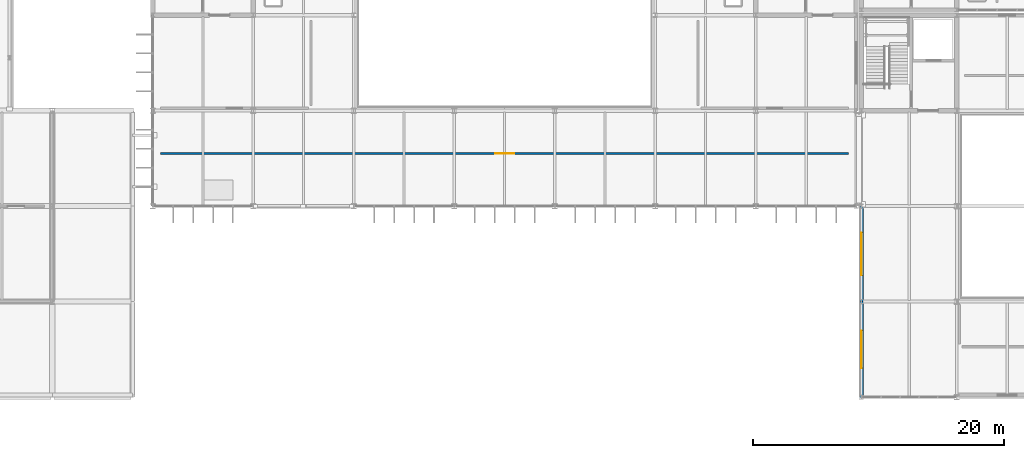
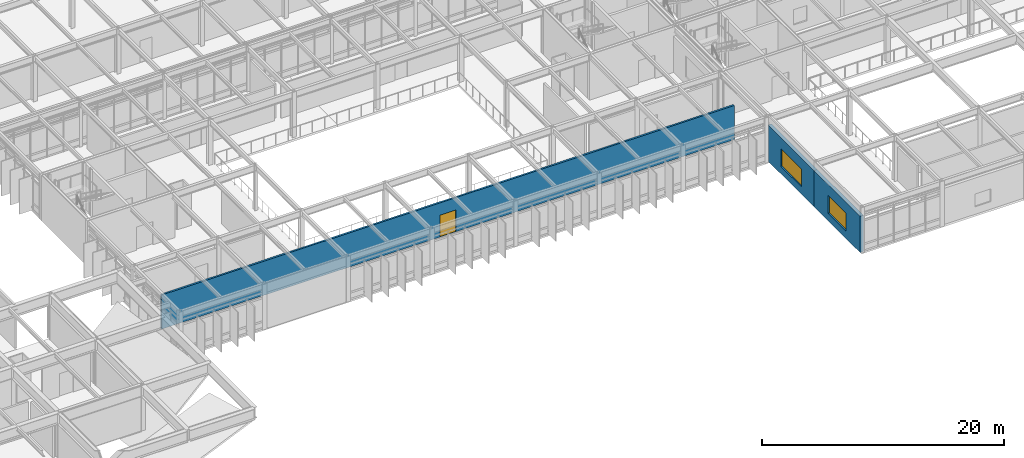
# One storey, part 82 of 104: 3 walls, 2 windows, 1 door, 3 openings.
"""IFC4 building model written with IfcOpenShell, lengths in metres."""

from ifc_helpers import new_model, si_unit, direction, frame, frame_2d, origin, place, context, subcontext, project, spatial, rectangle, extrude, material, layer, layer_set, type_object, element, fill, save


model = new_model("IFC4")

# Units and contexts
model_context = context("Model", 3, precision=1e-05, world=origin(), true_north=direction((0.0, 1.0)))
body_context = subcontext(model_context, "Body", "Model", "MODEL_VIEW")
ifc_project = project(units=[si_unit("LENGTHUNIT", "METRE"), si_unit("AREAUNIT", "SQUARE_METRE"), si_unit("VOLUMEUNIT", "CUBIC_METRE"), si_unit("PLANEANGLEUNIT", "RADIAN"), si_unit("MASSUNIT", "GRAM", prefix="KILO")], contexts=[model_context])

# Site, building, storey
site_placement = place(None, origin())
site = spatial("IfcSite", under=ifc_project, at=site_placement, CompositionType="ELEMENT")
building_placement = place(site_placement, origin())
building = spatial("IfcBuilding", under=site, at=building_placement, Name="Zulena Civic Courthouse", CompositionType="ELEMENT")
storey_placement = place(building_placement, frame((0.0, 0.0, 10.800048828125)))
storey = spatial("IfcBuildingStorey", under=building, at=storey_placement, Name="L02", CompositionType="ELEMENT", Elevation=10.800048828125)

# Wall, opening, window
ifc_material_1 = material(Name="Terracotta-rose architectural precast concrete C40/50", Category="masonry")
ifc_layer_1 = layer(ifc_material_1, 0.320068359375)
ifc_layer_set_1 = layer_set([ifc_layer_1], Name="Terracotta-rose architectural precast concrete C40/50")
wall_type_1 = type_object("IfcWallType", Name="ExtWall_TerraPrecast_320", PredefinedType="STANDARD", material=ifc_layer_set_1)
wall_1_placement = place(storey_placement, frame((124.39990234375, -0.02001953125, 0.0), z_axis=(0.0, 0.0, 1.0), x_axis=(0.0, 1.0, 0.0)))
wall_1 = element("IfcWall", 1, at=wall_1_placement, inside=storey, type_object=wall_type_1, Name="ewall:V1:L02:0:0", PredefinedType="STANDARD", context=body_context, shape_type="SweptSolid", body=[
    extrude(rectangle(XDim=7.64013671875, YDim=0.320068359375, at=frame_2d((3.820068359375, 0.0))), origin(), (0.0, 0.0, 1.0), 3.659912109375),
])
opening_1_placement = place(wall_1_placement, frame((2.320068359375, 0.0, 0.75)))
opening_1 = element("IfcOpeningElement", 2, at=opening_1_placement, cuts=wall_1, Name="Opening WN22", PredefinedType="OPENING", context=body_context, shape_type="SweptSolid", body=[
    extrude(rectangle(XDim=3.0, YDim=1.800048828125, at=frame_2d((1.5, 0.89990234375))), frame((0.0, 0.169921875, 0.0), z_axis=(0.0, -1.0, 0.0), x_axis=(1.0, 0.0, 0.0)), (0.0, 0.0, 1.0), 0.340087890625),
])
ifc_material_2 = material(Name="Double-silver low-E laminated solar-control glass", Category="glass")
window_type_1 = type_object("IfcWindowType", Name="Win_3000x1800", PartitioningType="DOUBLE_PANEL_VERTICAL", PredefinedType="WINDOW", material=ifc_material_2)
window_1_placement = place(opening_1_placement, origin())
window_1 = element("IfcWindow", 3, at=window_1_placement, inside=storey, type_object=window_type_1, Name="win:V1:L02:0:0", OverallHeight=1.800048828125, OverallWidth=3.0, PartitioningType="SINGLE_PANEL", PredefinedType="WINDOW", context=body_context, shape_type="SweptSolid", body=[
    extrude(rectangle(XDim=3.0, YDim=1.800048828125, at=frame_2d((1.5, 0.89990234375))), frame((0.0, 0.030029296875, 0.0), z_axis=(0.0, -1.0, 0.0), x_axis=(1.0, 0.0, 0.0)), (0.0, 0.0, 1.0), 0.06005859375),
])
fill(opening_1, window_1)

wall_2_placement = place(storey_placement, frame((124.39990234375, 7.580078125, 0.0), z_axis=(0.0, 0.0, 1.0), x_axis=(0.0, 1.0, 0.0)))
wall_2 = element("IfcWall", 4, at=wall_2_placement, inside=storey, type_object=wall_type_1, Name="ewall:V1:L02:0:1", PredefinedType="STANDARD", context=body_context, shape_type="SweptSolid", body=[
    extrude(rectangle(XDim=7.639892578125, YDim=0.320068359375, at=frame_2d((3.81982421875, 0.0))), origin(), (0.0, 0.0, 1.0), 3.659912109375),
])
opening_2_placement = place(wall_2_placement, frame((2.1201171875, 0.0, 0.75)))
opening_2 = element("IfcOpeningElement", 5, at=opening_2_placement, cuts=wall_2, Name="Opening WN23", PredefinedType="OPENING", context=body_context, shape_type="SweptSolid", body=[
    extrude(rectangle(XDim=3.39990234375, YDim=1.800048828125, at=frame_2d((1.699951171875, 0.89990234375))), frame((0.0, 0.169921875, 0.0), z_axis=(0.0, -1.0, 0.0), x_axis=(1.0, 0.0, 0.0)), (0.0, 0.0, 1.0), 0.340087890625),
])
window_type_2 = type_object("IfcWindowType", Name="Win_3400x1800", PartitioningType="DOUBLE_PANEL_VERTICAL", PredefinedType="WINDOW", material=ifc_material_2)
window_2_placement = place(opening_2_placement, origin())
window_2 = element("IfcWindow", 6, at=window_2_placement, inside=storey, type_object=window_type_2, Name="win:V1:L02:0:1", OverallHeight=1.800048828125, OverallWidth=3.39990234375, PartitioningType="SINGLE_PANEL", PredefinedType="WINDOW", context=body_context, shape_type="SweptSolid", body=[
    extrude(rectangle(XDim=3.39990234375, YDim=1.800048828125, at=frame_2d((1.699951171875, 0.89990234375))), frame((0.0, 0.030029296875, 0.0), z_axis=(0.0, -1.0, 0.0), x_axis=(1.0, 0.0, 0.0)), (0.0, 0.0, 1.0), 0.06005859375),
])
fill(opening_2, window_2)

# Wall, opening, door
ifc_material_3 = material(Name="Acoustic fire-rated gypsum board assembly", Category="masonry")
ifc_layer_2 = layer(ifc_material_3, 0.177978515625)
ifc_layer_set_2 = layer_set([ifc_layer_2], Name="Acoustic fire-rated gypsum board assembly")
wall_type_2 = type_object("IfcWallType", Name="PartWall_Corridor_178", PredefinedType="PARTITIONING", material=ifc_layer_set_2)
wall_3_placement = place(storey_placement, frame((68.6201171875, 19.39990234375, 0.0), z_axis=(0.0, 0.0, 1.0), x_axis=(1.0, 0.0, 0.0)))
wall_3 = element("IfcWall", 7, at=wall_3_placement, inside=storey, type_object=wall_type_2, Name="pwall:L02:243:0", PredefinedType="PARTITIONING", context=body_context, shape_type="SweptSolid", body=[
    extrude(rectangle(XDim=54.759765625, YDim=0.177978515625, at=frame_2d((27.3798828125, 0.0))), origin(), (0.0, 0.0, 1.0), 3.449951171875),
])
opening_3_placement = place(wall_3_placement, frame((26.6298828125, 0.0, 0.0)))
opening_3 = element("IfcOpeningElement", 8, at=opening_3_placement, cuts=wall_3, Name="Opening ID05", PredefinedType="OPENING", context=body_context, shape_type="SweptSolid", body=[
    extrude(rectangle(XDim=1.5, YDim=2.199951171875, at=frame_2d((0.75, 1.10009765625))), frame((0.0, 0.098876953125, 0.0), z_axis=(0.0, -1.0, 0.0), x_axis=(1.0, 0.0, 0.0)), (0.0, 0.0, 1.0), 0.197998046875),
])
ifc_material_4 = material(Name="Fire-rated galvanised steel ASTM A653 Grade 50", Category="steel")
door_type = type_object("IfcDoorType", Name="IntDoor_FFLobby_1500x2200", OperationType="DOUBLE_DOOR_SINGLE_SWING", PredefinedType="DOOR", material=ifc_material_4)
door_placement = place(opening_3_placement, origin())
door = element("IfcDoor", 9, at=door_placement, inside=storey, type_object=door_type, Name="door:rm:L02:243", OperationType="DOUBLE_DOOR_SINGLE_SWING", OverallHeight=2.199951171875, OverallWidth=1.5, PredefinedType="DOOR", context=body_context, shape_type="SweptSolid", body=[
    extrude(rectangle(XDim=1.5, YDim=2.199951171875, at=frame_2d((0.75, 1.10009765625))), frame((0.0, 0.02490234375, 0.0), z_axis=(0.0, -1.0, 0.0), x_axis=(1.0, 0.0, 0.0)), (0.0, 0.0, 1.0), 0.050048828125),
])
fill(opening_3, door)

save(model, "model.ifc")
